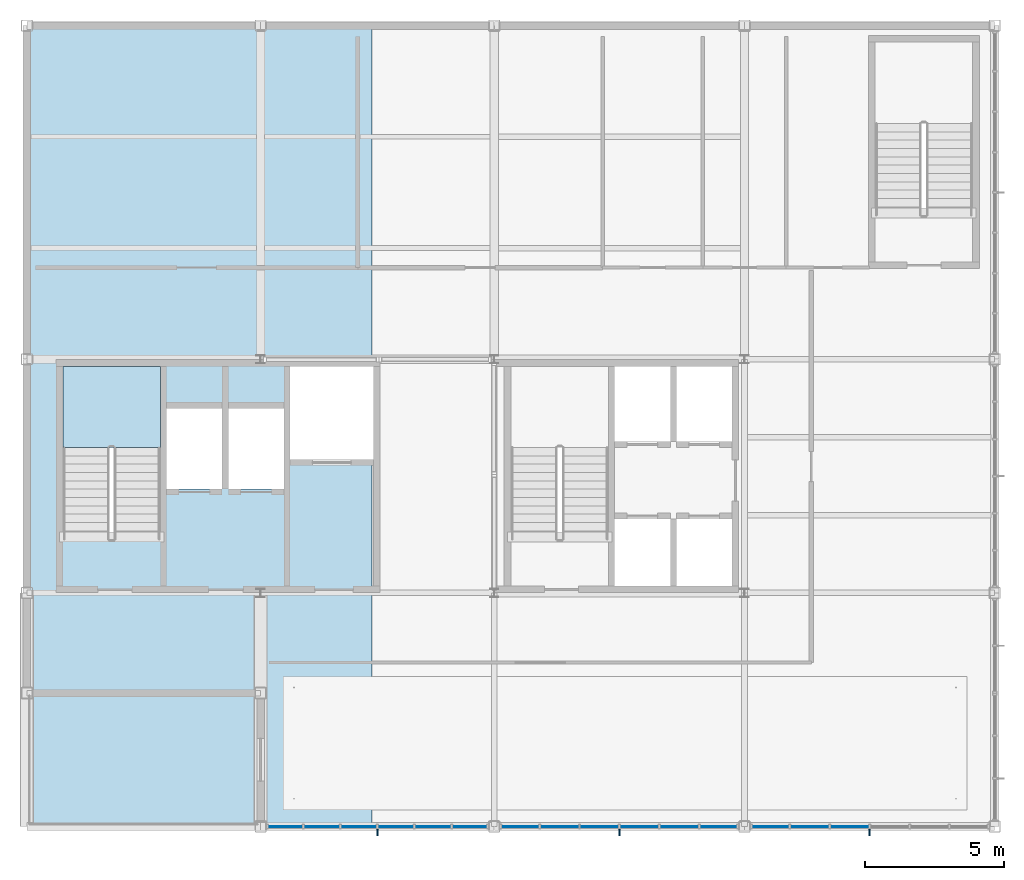
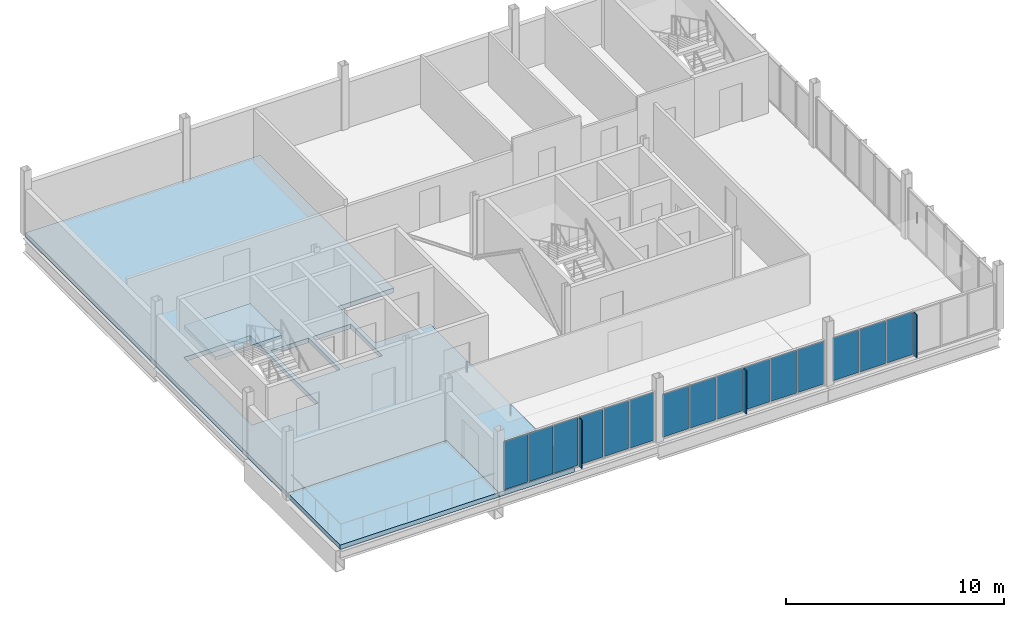
# One storey, part 9 of 17: 18 plates, 3 slabs, 4 elements without a shape of their own.
"""IFC4 building model written with IfcOpenShell, lengths in metres."""

import ifcopenshell
import ifcopenshell.guid

model = None  # the IFC model being written
_history = None  # IfcOwnerHistory: only IFC2X3 demands one
_inside = {}  # id of a spatial element -> (the spatial element, [elements in it])
_under = {}  # id of a project, library or spatial element -> (it, [spatial elements below it])
_declared = {}  # id of a project -> (the project, [libraries it declares])
_typed = {}  # id of a type object -> (the type object, [elements of that type])
_made_of = {}  # id of a material, layer set ... -> (it, [elements and type objects made of it])


def new_model(schema):
    """Start an empty IFC model of exactly this schema.

    Asked for "IFC4X3", IfcOpenShell would pick the latest addendum, in which some entities
    have other attributes; the version numbers below select the first issue.
    IFC2X3 requires an IfcOwnerHistory on every rooted entity: one is made here for all.
    """
    global model, _history
    if schema == "IFC4X3":
        model = ifcopenshell.file(schema_version=(4, 3, 0, 0))
    else:
        model = ifcopenshell.file(schema=schema)
    _inside.clear()
    _under.clear()
    _declared.clear()
    _typed.clear()
    _made_of.clear()
    _history = None
    if model.schema == "IFC2X3":
        org = make("IfcOrganization", Name="unknown")
        user = make(
            "IfcPersonAndOrganization",
            ThePerson=make("IfcPerson", FamilyName="unknown"),
            TheOrganization=org,
        )
        app = make(
            "IfcApplication",
            ApplicationDeveloper=org,
            Version="unknown",
            ApplicationFullName="unknown",
            ApplicationIdentifier="unknown",
        )
        _history = make(
            "IfcOwnerHistory",
            OwningUser=user,
            OwningApplication=app,
            ChangeAction="ADDED",
            CreationDate=0,
        )
    return model


def make(cls, **values):
    """One entity of the class cls with the attributes given. An attribute that is None is left unset."""
    return model.create_entity(
        cls, **{name: value for name, value in values.items() if value is not None}
    )


def rooted(cls, **values):
    """An entity with a GlobalId (a new one), such as an element, a storey or a relation."""
    return make(cls, GlobalId=ifcopenshell.guid.new(), OwnerHistory=_history, **values)


def si_unit(unit_type, name, prefix=None):
    """IfcSIUnit, for example si_unit("LENGTHUNIT", "METRE", prefix="MILLI")."""
    return make("IfcSIUnit", UnitType=unit_type, Prefix=prefix, Name=name)


def assignment(units):
    """IfcUnitAssignment: the units of a project."""
    return None if units is None else make("IfcUnitAssignment", Units=units)


def point(xyz):
    """IfcCartesianPoint."""
    return None if xyz is None else make("IfcCartesianPoint", Coordinates=xyz)


def direction(xyz):
    """IfcDirection."""
    return None if xyz is None else make("IfcDirection", DirectionRatios=xyz)


def frame(location, z_axis=None, x_axis=None):
    """IfcAxis2Placement3D, a coordinate frame: its origin and axes. An axis left out is left unset."""
    return make(
        "IfcAxis2Placement3D",
        Location=point(location),
        Axis=direction(z_axis),
        RefDirection=direction(x_axis),
    )


def frame_2d(location, x_axis=None):
    """IfcAxis2Placement2D, a coordinate frame in the plane: its origin and x axis."""
    return make(
        "IfcAxis2Placement2D", Location=point(location), RefDirection=direction(x_axis)
    )


def origin():
    """The frame at (0, 0, 0) with its axes left unset."""
    return frame((0.0, 0.0, 0.0))


def origin_2d():
    """The frame at (0, 0) in the plane with its x axis left unset."""
    return frame_2d((0.0, 0.0))


def place(relative_to, where):
    """IfcLocalPlacement: puts the frame where relative to a parent placement (None: the world)."""
    return make(
        "IfcLocalPlacement", PlacementRelTo=relative_to, RelativePlacement=where
    )


def context(
    kind, dimensions, precision=None, world=None, true_north=None, identifier=None
):
    """IfcGeometricRepresentationContext, for example the 3D "Model" context."""
    return make(
        "IfcGeometricRepresentationContext",
        ContextIdentifier=identifier,
        ContextType=kind,
        CoordinateSpaceDimension=dimensions,
        Precision=precision,
        WorldCoordinateSystem=world,
        TrueNorth=true_north,
    )


def subcontext(parent, identifier, kind, view, scale=None):
    """IfcGeometricRepresentationSubContext, for example "Body" below "Model"."""
    return make(
        "IfcGeometricRepresentationSubContext",
        ContextIdentifier=identifier,
        ContextType=kind,
        ParentContext=parent,
        TargetScale=scale,
        TargetView=view,
    )


def project(units=None, contexts=None):
    """IfcProject with its units and contexts."""
    return rooted(
        "IfcProject",
        Name="project",
        RepresentationContexts=contexts,
        UnitsInContext=assignment(units),
    )


def spatial(cls, under=None, at=None, **own):
    """A site, building, storey or space (cls), placed at a placement, below another one or the project."""
    s = rooted(cls, ObjectPlacement=at, **own)
    if under is not None:
        _under.setdefault(under.id(), (under, []))[1].append(s)
    return s


def polyline(points):
    """IfcPolyline through the points."""
    return make("IfcPolyline", Points=[point(p) for p in points])


def profile(cls, at=None, kind="AREA", **sizes):
    """A parametric profile (cls). Its sizes go by their IFC names, for example OverallWidth=200.0."""
    return make(cls, ProfileType=kind, Position=at, **sizes)


def rectangle(**sizes):
    """IfcRectangleProfileDef."""
    return profile("IfcRectangleProfileDef", **sizes)


def outline(outer, holes=None, kind="AREA"):
    """IfcArbitraryClosedProfileDef: a profile drawn as a closed curve; with holes, ...WithVoids."""
    if holes is None:
        return make("IfcArbitraryClosedProfileDef", ProfileType=kind, OuterCurve=outer)
    return make(
        "IfcArbitraryProfileDefWithVoids",
        ProfileType=kind,
        OuterCurve=outer,
        InnerCurves=holes,
    )


def extrude(swept, where, along, depth):
    """IfcExtrudedAreaSolid: the profile swept, set in the frame where, extruded along a direction by depth."""
    return make(
        "IfcExtrudedAreaSolid",
        SweptArea=swept,
        Position=where,
        ExtrudedDirection=direction(along),
        Depth=depth,
    )


def shape(context_of_items, identifier, shape_type, items):
    """IfcShapeRepresentation: the items that make up one representation, for example the "Body"."""
    return make(
        "IfcShapeRepresentation",
        ContextOfItems=context_of_items,
        RepresentationIdentifier=identifier,
        RepresentationType=shape_type,
        Items=items,
    )


def material(Name=None, Category=None):
    """IfcMaterial."""
    return make("IfcMaterial", Name=Name, Category=Category)


def layer(
    of_material, thickness, ventilated=None, Name=None, Category=None, Priority=None
):
    """IfcMaterialLayer: one layer of a wall or slab, of a material (None: an air gap)."""
    return make(
        "IfcMaterialLayer",
        Material=of_material,
        LayerThickness=thickness,
        IsVentilated=ventilated,
        Name=Name,
        Category=Category,
        Priority=Priority,
    )


def layer_set(layers, Name=None):
    """IfcMaterialLayerSet."""
    return make("IfcMaterialLayerSet", MaterialLayers=layers, LayerSetName=Name)


def made_of(thing, what):
    """Note that an element or type object is made of a material, layer set ...; save() writes the relation."""
    if what is not None:
        _made_of.setdefault(what.id(), (what, []))[1].append(thing)
    return thing


def type_object(cls, material=None, **own):
    """A type object (cls), such as IfcWallType, which elements share."""
    return made_of(rooted(cls, **own), material)


def element(
    cls,
    number,
    at=None,
    inside=None,
    cuts=None,
    type_object=None,
    material=None,
    context=None,
    identifier="Body",
    shape_type=None,
    held_by="IfcProductDefinitionShape",
    body=None,
    shapes=None,
    **own,
):
    """One element of the class cls, such as IfcWall. Its Tag is "e" and its number.

    at: its placement. inside: the storey or other place that contains it. cuts: it is an
    opening in that element (IfcRelVoidsElement). A single representation is given by context,
    identifier, shape_type and body (its items); several are given by shapes. held_by: the class
    of the entity that holds the representations. save() writes the other relations.
    """
    e = rooted(cls, Tag="e%d" % number, ObjectPlacement=at, **own)
    if body is not None:
        shapes = [shape(context, identifier, shape_type, body)]
    if shapes is not None:
        e.Representation = make(held_by, Representations=shapes)
    if inside is not None:
        _inside.setdefault(inside.id(), (inside, []))[1].append(e)
    if cuts is not None:
        rooted(
            "IfcRelVoidsElement", RelatingBuildingElement=cuts, RelatedOpeningElement=e
        )
    if type_object is not None:
        _typed.setdefault(type_object.id(), (type_object, []))[1].append(e)
    return made_of(e, material)


def aggregate(whole, parts):
    """IfcRelAggregates: a whole, such as a stair, and the parts it consists of."""
    return rooted("IfcRelAggregates", RelatingObject=whole, RelatedObjects=parts)


def save(model, path):
    """Write the relations noted so far, then the file.

    IfcRelAggregates (storeys below a building ...), IfcRelContainedInSpatialStructure (elements
    in a storey), IfcRelDefinesByType, IfcRelAssociatesMaterial and IfcRelDeclares: one each for
    every whole, place, type object, material and project.
    """
    for whole, parts in _under.values():
        aggregate(whole, parts)
    for where, things in _inside.values():
        rooted(
            "IfcRelContainedInSpatialStructure",
            RelatedElements=things,
            RelatingStructure=where,
        )
    for kind, things in _typed.values():
        rooted("IfcRelDefinesByType", RelatedObjects=things, RelatingType=kind)
    for what, things in _made_of.values():
        rooted("IfcRelAssociatesMaterial", RelatedObjects=things, RelatingMaterial=what)
    for by, libraries in _declared.values():
        rooted("IfcRelDeclares", RelatingContext=by, RelatedDefinitions=libraries)
    model.write(path)


model = new_model("IFC4")

# Units and contexts
model_context = context("Model", 3, precision=1e-05, world=origin(), true_north=direction((0.0, 1.0)))
body_context = subcontext(model_context, "Body", "Model", "MODEL_VIEW")
ifc_project = project(units=[si_unit("LENGTHUNIT", "METRE"), si_unit("AREAUNIT", "SQUARE_METRE"), si_unit("VOLUMEUNIT", "CUBIC_METRE"), si_unit("PLANEANGLEUNIT", "RADIAN"), si_unit("MASSUNIT", "GRAM", prefix="KILO")], contexts=[model_context])

# Site, building, storey
site_placement = place(None, origin())
site = spatial("IfcSite", under=ifc_project, at=site_placement, CompositionType="ELEMENT")
building_placement = place(site_placement, origin())
building = spatial("IfcBuilding", under=site, at=building_placement, Name="Yukiwa Park Conservatory and Herbarium", CompositionType="ELEMENT")
storey_placement = place(building_placement, frame((0.0, 0.0, 57.60009765625)))
storey = spatial("IfcBuildingStorey", under=building, at=storey_placement, Name="L15", CompositionType="ELEMENT", Elevation=57.60009765625)

# Curtain wall, plates
ifc_material_1 = material(Name="Triple Low-E Insulated Glass", Category="glass")
ifc_layer_1 = layer(ifc_material_1, 0.2119140625)
ifc_layer_set_1 = layer_set([ifc_layer_1], Name="Triple Low-E Insulated Glass")
curtain_wall_type = type_object("IfcCurtainWallType", Name="CW-TOWER-SKY-1400", PredefinedType="NOTDEFINED", material=ifc_layer_set_1)
curtain_wall_1_placement = place(storey_placement, origin())
curtain_wall_1 = element("IfcCurtainWall", 1, at=curtain_wall_1_placement, inside=storey, type_object=curtain_wall_type, Name="L15 unitised curtain wall CW-L15-145", PredefinedType="NOTDEFINED")
ifc_material_2 = material(Name="Triple Low-E Insulated Glass", Category="glass")
ifc_layer_2 = layer(ifc_material_2, 0.035888671875)
ifc_layer_set_2 = layer_set([ifc_layer_2], Name="Triple Low-E Insulated Glass")
plate_type_1 = type_object("IfcPlateType", Name="PL-CW-GLZ-36", PredefinedType="CURTAIN_PANEL", material=ifc_layer_set_2)
plate_1_placement = place(storey_placement, frame((142.466796875, 86.39990234375, 0.06982421875), z_axis=(0.0, 0.0, 1.0), x_axis=(1.0, 0.0, 0.0)))
plate_1 = element("IfcPlate", 2, at=plate_1_placement, type_object=plate_type_1, Name="CW-L15-145 vision panel 1.1", PredefinedType="CURTAIN_PANEL", context=body_context, shape_type="SweptSolid", body=[
    extrude(rectangle(XDim=1.26318359375, YDim=0.035888671875, at=origin_2d()), origin(), (0.0, 0.0, 1.0), 2.68994140625),
])
plate_2_placement = place(storey_placement, frame((143.800048828125, 86.39990234375, 0.06982421875), z_axis=(0.0, 0.0, 1.0), x_axis=(1.0, 0.0, 0.0)))
plate_2 = element("IfcPlate", 3, at=plate_2_placement, type_object=plate_type_1, Name="CW-L15-145 vision panel 2.1", PredefinedType="CURTAIN_PANEL", context=body_context, shape_type="SweptSolid", body=[
    extrude(rectangle(XDim=1.26318359375, YDim=0.035888671875, at=origin_2d()), origin(), (0.0, 0.0, 1.0), 2.68994140625),
])
plate_3_placement = place(storey_placement, frame((145.13330078125, 86.39990234375, 0.06982421875), z_axis=(0.0, 0.0, 1.0), x_axis=(1.0, 0.0, 0.0)))
plate_3 = element("IfcPlate", 4, at=plate_3_placement, type_object=plate_type_1, Name="CW-L15-145 vision panel 3.1", PredefinedType="CURTAIN_PANEL", context=body_context, shape_type="SweptSolid", body=[
    extrude(rectangle(XDim=1.26318359375, YDim=0.035888671875, at=origin_2d()), origin(), (0.0, 0.0, 1.0), 2.68994140625),
])
plate_4_placement = place(storey_placement, frame((146.466796875, 86.39990234375, 0.06982421875), z_axis=(0.0, 0.0, 1.0), x_axis=(1.0, 0.0, 0.0)))
plate_4 = element("IfcPlate", 5, at=plate_4_placement, type_object=plate_type_1, Name="CW-L15-145 vision panel 4.1", PredefinedType="CURTAIN_PANEL", context=body_context, shape_type="SweptSolid", body=[
    extrude(rectangle(XDim=1.26318359375, YDim=0.035888671875, at=origin_2d()), origin(), (0.0, 0.0, 1.0), 2.68994140625),
])
plate_5_placement = place(storey_placement, frame((147.800048828125, 86.39990234375, 0.06982421875), z_axis=(0.0, 0.0, 1.0), x_axis=(1.0, 0.0, 0.0)))
plate_5 = element("IfcPlate", 6, at=plate_5_placement, type_object=plate_type_1, Name="CW-L15-145 vision panel 5.1", PredefinedType="CURTAIN_PANEL", context=body_context, shape_type="SweptSolid", body=[
    extrude(rectangle(XDim=1.26318359375, YDim=0.035888671875, at=origin_2d()), origin(), (0.0, 0.0, 1.0), 2.68994140625),
])
plate_6_placement = place(storey_placement, frame((149.13330078125, 86.39990234375, 0.06982421875), z_axis=(0.0, 0.0, 1.0), x_axis=(1.0, 0.0, 0.0)))
plate_6 = element("IfcPlate", 7, at=plate_6_placement, type_object=plate_type_1, Name="CW-L15-145 vision panel 6.1", PredefinedType="CURTAIN_PANEL", context=body_context, shape_type="SweptSolid", body=[
    extrude(rectangle(XDim=1.26318359375, YDim=0.035888671875, at=origin_2d()), origin(), (0.0, 0.0, 1.0), 2.68994140625),
])
aggregate(curtain_wall_1, [plate_1, plate_2, plate_3, plate_4, plate_5, plate_6])

curtain_wall_2_placement = place(storey_placement, origin())
curtain_wall_2 = element("IfcCurtainWall", 8, at=curtain_wall_2_placement, inside=storey, type_object=curtain_wall_type, Name="L15 unitised curtain wall CW-L15-146", PredefinedType="NOTDEFINED")
plate_7_placement = place(storey_placement, frame((150.916748046875, 86.39990234375, 0.06982421875), z_axis=(0.0, 0.0, 1.0), x_axis=(1.0, 0.0, 0.0)))
plate_7 = element("IfcPlate", 9, at=plate_7_placement, type_object=plate_type_1, Name="CW-L15-146 vision panel 1.1", PredefinedType="CURTAIN_PANEL", context=body_context, shape_type="SweptSolid", body=[
    extrude(rectangle(XDim=1.36328125, YDim=0.035888671875, at=origin_2d()), origin(), (0.0, 0.0, 1.0), 2.39794921875),
])
plate_8_placement = place(storey_placement, frame((152.35009765625, 86.39990234375, 0.06982421875), z_axis=(0.0, 0.0, 1.0), x_axis=(1.0, 0.0, 0.0)))
plate_8 = element("IfcPlate", 10, at=plate_8_placement, type_object=plate_type_1, Name="CW-L15-146 vision panel 2.1", PredefinedType="CURTAIN_PANEL", context=body_context, shape_type="SweptSolid", body=[
    extrude(rectangle(XDim=1.36328125, YDim=0.035888671875, at=origin_2d()), origin(), (0.0, 0.0, 1.0), 2.39794921875),
])
plate_9_placement = place(storey_placement, frame((153.783203125, 86.39990234375, 0.06982421875), z_axis=(0.0, 0.0, 1.0), x_axis=(1.0, 0.0, 0.0)))
plate_9 = element("IfcPlate", 11, at=plate_9_placement, type_object=plate_type_1, Name="CW-L15-146 vision panel 3.1", PredefinedType="CURTAIN_PANEL", context=body_context, shape_type="SweptSolid", body=[
    extrude(rectangle(XDim=1.36328125, YDim=0.035888671875, at=origin_2d()), origin(), (0.0, 0.0, 1.0), 2.39794921875),
])
plate_10_placement = place(storey_placement, frame((155.216796875, 86.39990234375, 0.06982421875), z_axis=(0.0, 0.0, 1.0), x_axis=(1.0, 0.0, 0.0)))
plate_10 = element("IfcPlate", 12, at=plate_10_placement, type_object=plate_type_1, Name="CW-L15-146 vision panel 4.1", PredefinedType="CURTAIN_PANEL", context=body_context, shape_type="SweptSolid", body=[
    extrude(rectangle(XDim=1.36328125, YDim=0.035888671875, at=origin_2d()), origin(), (0.0, 0.0, 1.0), 2.39794921875),
])
plate_11_placement = place(storey_placement, frame((156.64990234375, 86.39990234375, 0.06982421875), z_axis=(0.0, 0.0, 1.0), x_axis=(1.0, 0.0, 0.0)))
plate_11 = element("IfcPlate", 13, at=plate_11_placement, type_object=plate_type_1, Name="CW-L15-146 vision panel 5.1", PredefinedType="CURTAIN_PANEL", context=body_context, shape_type="SweptSolid", body=[
    extrude(rectangle(XDim=1.36328125, YDim=0.035888671875, at=origin_2d()), origin(), (0.0, 0.0, 1.0), 2.39794921875),
])
plate_12_placement = place(storey_placement, frame((158.083251953125, 86.39990234375, 0.06982421875), z_axis=(0.0, 0.0, 1.0), x_axis=(1.0, 0.0, 0.0)))
plate_12 = element("IfcPlate", 14, at=plate_12_placement, type_object=plate_type_1, Name="CW-L15-146 vision panel 6.1", PredefinedType="CURTAIN_PANEL", context=body_context, shape_type="SweptSolid", body=[
    extrude(rectangle(XDim=1.36328125, YDim=0.035888671875, at=origin_2d()), origin(), (0.0, 0.0, 1.0), 2.39794921875),
])
aggregate(curtain_wall_2, [plate_7, plate_8, plate_9, plate_10, plate_11, plate_12])

curtain_wall_3_placement = place(storey_placement, origin())
curtain_wall_3 = element("IfcCurtainWall", 15, at=curtain_wall_3_placement, inside=storey, type_object=curtain_wall_type, Name="L15 unitised curtain wall CW-L15-147", PredefinedType="NOTDEFINED")
plate_13_placement = place(storey_placement, frame((159.916748046875, 86.39990234375, 0.06982421875), z_axis=(0.0, 0.0, 1.0), x_axis=(1.0, 0.0, 0.0)))
plate_13 = element("IfcPlate", 16, at=plate_13_placement, type_object=plate_type_1, Name="CW-L15-147 vision panel 1.1", PredefinedType="CURTAIN_PANEL", context=body_context, shape_type="SweptSolid", body=[
    extrude(rectangle(XDim=1.36328125, YDim=0.035888671875, at=origin_2d()), origin(), (0.0, 0.0, 1.0), 2.39794921875),
])
plate_14_placement = place(storey_placement, frame((161.35009765625, 86.39990234375, 0.06982421875), z_axis=(0.0, 0.0, 1.0), x_axis=(1.0, 0.0, 0.0)))
plate_14 = element("IfcPlate", 17, at=plate_14_placement, type_object=plate_type_1, Name="CW-L15-147 vision panel 2.1", PredefinedType="CURTAIN_PANEL", context=body_context, shape_type="SweptSolid", body=[
    extrude(rectangle(XDim=1.36328125, YDim=0.035888671875, at=origin_2d()), origin(), (0.0, 0.0, 1.0), 2.39794921875),
])
plate_15_placement = place(storey_placement, frame((162.783203125, 86.39990234375, 0.06982421875), z_axis=(0.0, 0.0, 1.0), x_axis=(1.0, 0.0, 0.0)))
plate_15 = element("IfcPlate", 18, at=plate_15_placement, type_object=plate_type_1, Name="CW-L15-147 vision panel 3.1", PredefinedType="CURTAIN_PANEL", context=body_context, shape_type="SweptSolid", body=[
    extrude(rectangle(XDim=1.36328125, YDim=0.035888671875, at=origin_2d()), origin(), (0.0, 0.0, 1.0), 2.39794921875),
])
aggregate(curtain_wall_3, [plate_13, plate_14, plate_15])

# Plates
ifc_material_3 = material(Name="Anodised Aluminium", Category="aluminium")
ifc_layer_3 = layer(ifc_material_3, 0.050048828125)
ifc_layer_set_3 = layer_set([ifc_layer_3], Name="Anodised Aluminium")
plate_type_2 = type_object("IfcPlateType", Name="PL-FIN-ALU-50", PredefinedType="USERDEFINED", material=ifc_layer_set_3)
plate_16_placement = place(storey_placement, frame((145.800048828125, 86.2099609375, 0.059814453125), z_axis=(0.0, 0.0, 1.0), x_axis=(1.0, 0.0, 0.0)))
element("IfcPlate", 19, at=plate_16_placement, inside=storey, type_object=plate_type_2, Name="CW-L15-145 exterior vertical shading fin", ObjectType="SHADING FIN", PredefinedType="USERDEFINED", context=body_context, shape_type="SweptSolid", body=[
    extrude(rectangle(XDim=0.050048828125, YDim=0.280029296875, at=origin_2d()), origin(), (0.0, 0.0, 1.0), 2.7099609375),
])
for number, where, z_axis, x_axis, name in (
    (20, (154.5, 86.2099609375, 0.059814453125), (0.0, 0.0, 1.0), (1.0, 0.0, 0.0), "CW-L15-146 exterior vertical shading fin"),
    (21, (163.5, 86.2099609375, 0.059814453125), (0.0, 0.0, 1.0), (1.0, 0.0, 0.0), "CW-L15-147 exterior vertical shading fin"),
):
    element("IfcPlate", number, at=place(storey_placement, frame(where, z_axis=z_axis, x_axis=x_axis)), inside=storey, type_object=plate_type_2, Name=name, ObjectType="SHADING FIN", PredefinedType="USERDEFINED", context=body_context, shape_type="SweptSolid", body=[
        extrude(rectangle(XDim=0.050048828125, YDim=0.280029296875, at=origin_2d()), origin(), (0.0, 0.0, 1.0), 2.41796875),
    ])

# Slab
ifc_material_4 = material(Name="Concrete C40", Category="concrete")
ifc_layer_4 = layer(ifc_material_4, 0.256103515625)
ifc_layer_set_4 = layer_set([ifc_layer_4], Name="Concrete C40")
slab_type_1 = type_object("IfcSlabType", Name="SL-FLR-256", PredefinedType="FLOOR", material=ifc_layer_set_4)
slab_1_placement = place(storey_placement, frame((0.0, 0.0, -0.256103515625)))
element("IfcSlab", 22, at=slab_1_placement, inside=storey, type_object=slab_type_1, Name="L15 composite structural floor slab V5W", PredefinedType="FLOOR", context=body_context, shape_type="SweptSolid", body=[
    extrude(outline(polyline([(141.60009765625, 91.199951171875), (133.199951171875, 91.199951171875), (133.199951171875, 115.199951171875), (145.60009765625, 115.199951171875), (145.60009765625, 102.949951171875), (142.659912109375, 102.949951171875), (142.659912109375, 99.60009765625), (145.60009765625, 99.60009765625), (145.60009765625, 86.39990234375), (141.60009765625, 86.39990234375), (141.60009765625, 91.199951171875)]), holes=[polyline([(134.489990234375, 102.949951171875), (134.489990234375, 96.72998046875), (138.0, 96.72998046875), (138.0, 102.949951171875), (134.489990234375, 102.949951171875)]), polyline([(140.219970703125, 101.43994140625), (138.219970703125, 101.43994140625), (138.219970703125, 98.5400390625), (140.219970703125, 98.5400390625), (140.219970703125, 101.43994140625)]), polyline([(140.43994140625, 101.43994140625), (140.43994140625, 98.5400390625), (142.43994140625, 98.5400390625), (142.43994140625, 101.43994140625), (140.43994140625, 101.43994140625)])]), origin(), (0.0, 0.0, 1.0), 0.256103515625),
])

# Stair, slab
ifc_material_5 = material(Name="Concrete C40", Category="concrete")
stair_type = type_object("IfcStairType", Name="ST-DOGLEG-ST-T1", PredefinedType="HALF_TURN_STAIR", material=ifc_material_5)
stair_placement = place(storey_placement, origin())
stair = element("IfcStair", 23, at=stair_placement, inside=storey, type_object=stair_type, Name="L15 Protected Smoke-Proof Stair ST-T1", PredefinedType="HALF_TURN_STAIR")
ifc_material_6 = material(Name="Concrete C40", Category="concrete")
ifc_layer_5 = layer(ifc_material_6, 0.199951171875)
ifc_layer_set_5 = layer_set([ifc_layer_5], Name="Concrete C40")
slab_type_2 = type_object("IfcSlabType", Name="SL-LANDING-220", PredefinedType="LANDING", material=ifc_layer_set_5)
slab_2_placement = place(storey_placement, frame((0.0, 0.0, 1.599853515625)))
slab_2 = element("IfcSlab", 24, at=slab_2_placement, type_object=slab_type_2, Name="ST-T1 landing 1", PredefinedType="LANDING", context=body_context, shape_type="SweptSolid", body=[
    extrude(outline(polyline([(138.0, 100.030029296875), (138.0, 102.949951171875), (134.489990234375, 102.949951171875), (134.489990234375, 100.030029296875), (138.0, 100.030029296875)])), origin(), (0.0, 0.0, 1.0), 0.199951171875),
])
aggregate(stair, [slab_2])

# Slab
ifc_material_7 = material(Name="Concrete C40", Category="concrete")
ifc_layer_6 = layer(ifc_material_7, 0.25)
ifc_layer_set_6 = layer_set([ifc_layer_6], Name="Concrete C40")
slab_type_3 = type_object("IfcSlabType", Name="SL-TER-250", PredefinedType="ROOF", material=ifc_layer_set_6)
slab_3_placement = place(storey_placement, frame((0.0, 0.0, -0.25)))
element("IfcSlab", 25, at=slab_3_placement, inside=storey, type_object=slab_type_3, Name="L15 Sky Terrace Observation Deck slab", PredefinedType="ROOF", context=body_context, shape_type="SweptSolid", body=[
    extrude(outline(polyline([(133.199951171875, 86.39990234375), (133.199951171875, 91.199951171875), (141.60009765625, 91.199951171875), (141.60009765625, 86.39990234375), (133.199951171875, 86.39990234375)])), origin(), (0.0, 0.0, 1.0), 0.25),
])

save(model, "model.ifc")
